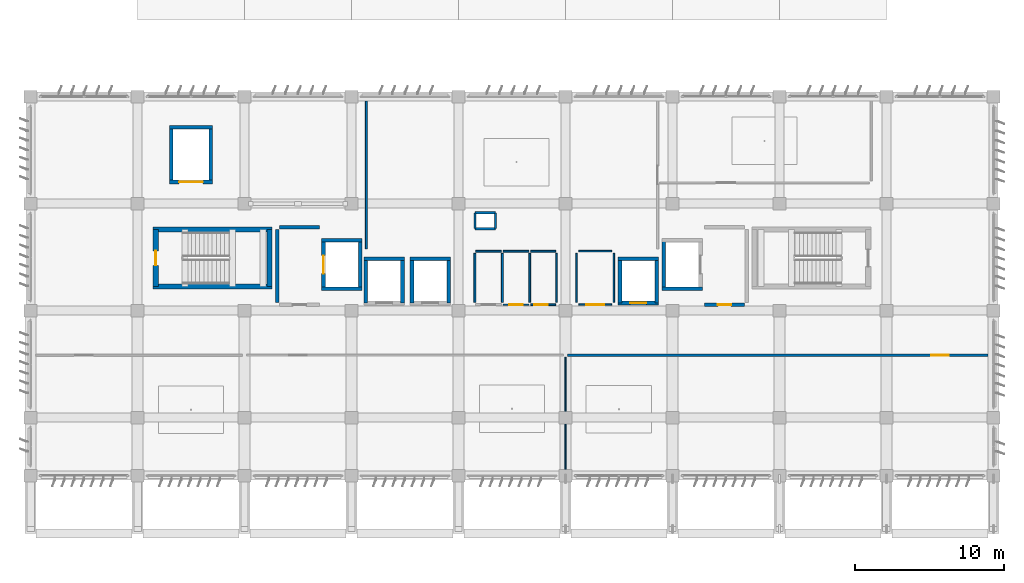
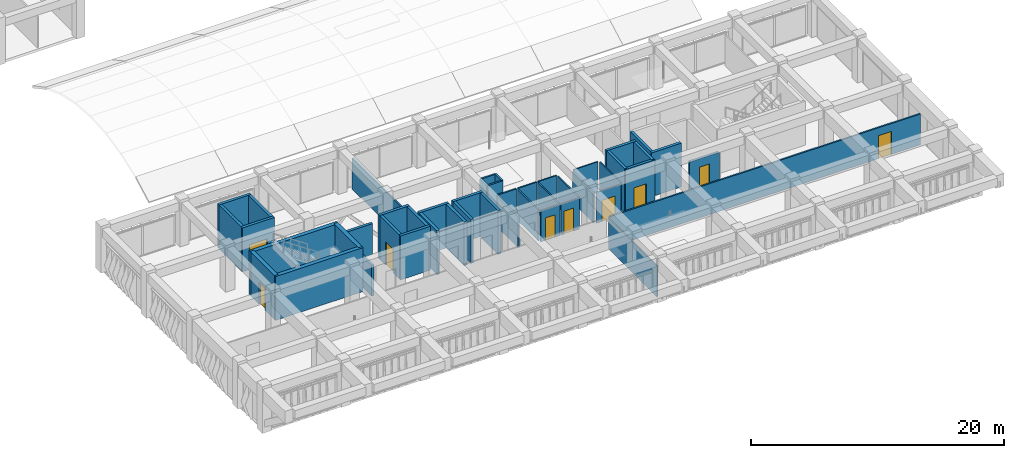
# One storey, part 36 of 56: 47 walls, 9 doors, 9 openings.
"""IFC4 building model written with IfcOpenShell, lengths in metres."""

from ifc_helpers import new_model, si_unit, direction, frame, frame_2d, origin, place, context, subcontext, project, spatial, rectangle, extrude, material, layer, layer_set, type_object, element, fill, save


model = new_model("IFC4")

# Units and contexts
model_context = context("Model", 3, precision=1e-05, world=origin(), true_north=direction((0.0, 1.0)))
body_context = subcontext(model_context, "Body", "Model", "MODEL_VIEW")
ifc_project = project(units=[si_unit("LENGTHUNIT", "METRE"), si_unit("AREAUNIT", "SQUARE_METRE"), si_unit("VOLUMEUNIT", "CUBIC_METRE"), si_unit("PLANEANGLEUNIT", "RADIAN"), si_unit("MASSUNIT", "GRAM", prefix="KILO")], contexts=[model_context])

# Site, building, storey
site_placement = place(None, origin())
site = spatial("IfcSite", under=ifc_project, at=site_placement, CompositionType="ELEMENT")
building_placement = place(site_placement, origin())
building = spatial("IfcBuilding", under=site, at=building_placement, Name="Kazehaya Institute of Natural Sciences", CompositionType="ELEMENT")
storey_placement = place(building_placement, frame((0.0, 0.0, 24.300048828125)))
storey = spatial("IfcBuildingStorey", under=building, at=storey_placement, Name="L05", CompositionType="ELEMENT", Elevation=24.300048828125)

# Walls
ifc_material_1 = material(Name="Concrete Fc42", Category="concrete")
ifc_layer_1 = layer(ifc_material_1, 0.35009765625, Name="Concrete Fc42", Category="concrete")
ifc_layer_set_1 = layer_set([ifc_layer_1], Name="Concrete Fc42")
wall_type_1 = type_object("IfcWallType", Name="WL-CORE-350", PredefinedType="SHEAR", material=ifc_layer_set_1)
for number, where, z_axis, x_axis, name in (
    (1, (70.85498046875, 22.820068359375, 0.0), (0.0, 0.0, 1.0), (-1.0, 0.0, 0.0), "L05 ST-1 core wall S"),
    (2, (62.844970703125, 26.659912109375, 0.0), (0.0, 0.0, 1.0), (1.0, 0.0, 0.0), "L05 ST-1 core wall N"),
):
    element("IfcWall", number, at=place(storey_placement, frame(where, z_axis=z_axis, x_axis=x_axis)), inside=storey, type_object=wall_type_1, Name=name, PredefinedType="SHEAR", context=body_context, shape_type="SweptSolid", body=[
        extrude(rectangle(XDim=8.010009765625, YDim=0.35009765625, at=frame_2d((4.0048828125, 0.0))), origin(), (0.0, 0.0, 1.0), 4.22998046875),
    ])

# Wall, opening, door
wall_1_placement = place(storey_placement, frame((63.02001953125, 22.820068359375, 0.0), z_axis=(0.0, 0.0, 1.0), x_axis=(0.0, 1.0, 0.0)))
wall_1 = element("IfcWall", 3, at=wall_1_placement, inside=storey, type_object=wall_type_1, Name="L05 ST-1 core wall W", PredefinedType="SHEAR", context=body_context, shape_type="SweptSolid", body=[
    extrude(rectangle(XDim=3.83984375, YDim=0.35009765625, at=frame_2d((1.919921875, 0.0))), origin(), (0.0, 0.0, 1.0), 4.22998046875),
])
opening_1_placement = place(wall_1_placement, frame((1.429931640625, 0.0, 0.0)))
opening_1 = element("IfcOpeningElement", 4, at=opening_1_placement, cuts=wall_1, Name="Opening D-ST-007", PredefinedType="OPENING", context=body_context, shape_type="SweptSolid", body=[
    extrude(rectangle(XDim=0.97998046875, YDim=2.1201171875, at=frame_2d((0.489990234375, 1.06005859375))), frame((0.0, 0.18505859375, 0.0), z_axis=(0.0, -1.0, 0.0), x_axis=(1.0, 0.0, 0.0)), (0.0, 0.0, 1.0), 0.3701171875),
])
ifc_material_2 = material(Name="Fire-rated steel acoustic door", Category="steel")
door_type_1 = type_object("IfcDoorType", Name="DT-FD-08", OperationType="NOTDEFINED", PredefinedType="DOOR", material=ifc_material_2)
door_1_placement = place(opening_1_placement, origin())
door_1 = element("IfcDoor", 5, at=door_1_placement, inside=storey, type_object=door_type_1, Name="L05 ST-1 stair enclosure door D-ST-007", OperationType="SINGLE_SWING_LEFT", OverallHeight=2.1201171875, OverallWidth=0.97998046875, PredefinedType="DOOR", context=body_context, shape_type="SweptSolid", body=[
    extrude(rectangle(XDim=0.97998046875, YDim=2.1201171875, at=frame_2d((0.489990234375, 1.06005859375))), frame((0.0, 0.02490234375, 0.0), z_axis=(0.0, -1.0, 0.0), x_axis=(1.0, 0.0, 0.0)), (0.0, 0.0, 1.0), 0.050048828125),
])
fill(opening_1, door_1)

# Walls
wall_2_placement = place(storey_placement, frame((70.679931640625, 26.659912109375, 0.0), z_axis=(0.0, 0.0, 1.0), x_axis=(0.0, -1.0, 0.0)))
element("IfcWall", 6, at=wall_2_placement, inside=storey, type_object=wall_type_1, Name="L05 ST-1 core wall E", PredefinedType="SHEAR", context=body_context, shape_type="SweptSolid", body=[
    extrude(rectangle(XDim=3.83984375, YDim=0.35009765625, at=frame_2d((1.919921875, 0.0))), origin(), (0.0, 0.0, 1.0), 4.22998046875),
])
ifc_material_3 = material(Name="Concrete Fc36", Category="concrete")
ifc_layer_2 = layer(ifc_material_3, 0.22998046875, Name="Concrete Fc36", Category="concrete")
ifc_layer_set_2 = layer_set([ifc_layer_2], Name="Concrete Fc36")
wall_type_2 = type_object("IfcWallType", Name="WL-FFL-230", PredefinedType="PARTITIONING", material=ifc_layer_set_2)
wall_3_placement = place(storey_placement, frame((71.35009765625, 26.800048828125, 0.0), z_axis=(0.0, 0.0, 1.0), x_axis=(1.0, 0.0, 0.0)))
element("IfcWall", 7, at=wall_3_placement, inside=storey, type_object=wall_type_2, Name="L05 West Firefighting Lift Lobby partition IW-L05-0255", PredefinedType="PARTITIONING", context=body_context, shape_type="SweptSolid", body=[
    extrude(rectangle(XDim=2.699951171875, YDim=0.22998046875, at=frame_2d((1.35009765625, 0.0))), origin(), (0.0, 0.0, 1.0), 2.97998046875),
])
wall_4_placement = place(storey_placement, frame((71.199951171875, 21.75, 0.0), z_axis=(0.0, 0.0, 1.0), x_axis=(0.0, 1.0, 0.0)))
element("IfcWall", 8, at=wall_4_placement, inside=storey, type_object=wall_type_2, Name="L05 West Firefighting Lift Lobby partition IW-L05-0256", PredefinedType="PARTITIONING", context=body_context, shape_type="SweptSolid", body=[
    extrude(rectangle(XDim=4.89990234375, YDim=0.22998046875, at=frame_2d((2.449951171875, 0.0))), origin(), (0.0, 0.0, 1.0), 2.97998046875),
])

# Wall, opening, door
wall_5_placement = place(storey_placement, frame((102.64990234375, 21.60009765625, 0.0), z_axis=(0.0, 0.0, 1.0), x_axis=(-1.0, 0.0, 0.0)))
wall_5 = element("IfcWall", 9, at=wall_5_placement, inside=storey, type_object=wall_type_2, Name="L05 East Firefighting Lift Lobby partition IW-L05-0257", PredefinedType="PARTITIONING", context=body_context, shape_type="SweptSolid", body=[
    extrude(rectangle(XDim=2.699951171875, YDim=0.22998046875, at=frame_2d((1.35009765625, 0.0))), origin(), (0.0, 0.0, 1.0), 2.97998046875),
])
opening_2_placement = place(wall_5_placement, frame((0.89990234375, 0.0, 0.0)))
opening_2 = element("IfcOpeningElement", 10, at=opening_2_placement, cuts=wall_5, Name="Opening D-L05-0155", PredefinedType="OPENING", context=body_context, shape_type="SweptSolid", body=[
    extrude(rectangle(XDim=0.89990234375, YDim=2.179931640625, at=frame_2d((0.449951171875, 1.08984375))), frame((0.0, 0.125, 0.0), z_axis=(0.0, -1.0, 0.0), x_axis=(1.0, 0.0, 0.0)), (0.0, 0.0, 1.0), 0.25),
])
door_type_2 = type_object("IfcDoorType", Name="DT-FD-03", OperationType="NOTDEFINED", PredefinedType="DOOR", material=ifc_material_2)
door_2_placement = place(opening_2_placement, origin())
door_2 = element("IfcDoor", 11, at=door_2_placement, inside=storey, type_object=door_type_2, Name="L05 East Firefighting Lift Lobby door D-L05-0155", OperationType="SINGLE_SWING_LEFT", OverallHeight=2.179931640625, OverallWidth=0.89990234375, PredefinedType="DOOR", context=body_context, shape_type="SweptSolid", body=[
    extrude(rectangle(XDim=0.89990234375, YDim=2.179931640625, at=frame_2d((0.449951171875, 1.08984375))), frame((0.0, 0.02490234375, 0.0), z_axis=(0.0, -1.0, 0.0), x_axis=(1.0, 0.0, 0.0)), (0.0, 0.0, 1.0), 0.050048828125),
])
fill(opening_2, door_2)

ifc_material_4 = material(Name="Lightweight chase partition")
ifc_layer_3 = layer(ifc_material_4, 0.10009765625, Name="Lightweight chase partition")
ifc_layer_set_3 = layer_set([ifc_layer_3], Name="Lightweight chase partition")
wall_type_3 = type_object("IfcWallType", Name="WL-PART-100", PredefinedType="PARTITIONING", material=ifc_layer_set_3)
wall_6_placement = place(storey_placement, frame((93.699951171875, 21.60009765625, 0.0), z_axis=(0.0, 0.0, 1.0), x_axis=(-1.0, 0.0, 0.0)))
wall_6 = element("IfcWall", 12, at=wall_6_placement, inside=storey, type_object=wall_type_3, Name="L05 Ostomate WC partition IW-L05-0270", PredefinedType="PARTITIONING", context=body_context, shape_type="SweptSolid", body=[
    extrude(rectangle(XDim=2.199951171875, YDim=0.10009765625, at=frame_2d((1.10009765625, 0.0))), origin(), (0.0, 0.0, 1.0), 2.97998046875),
])
opening_3_placement = place(wall_6_placement, frame((0.5048828125, 0.0, 0.0)))
opening_3 = element("IfcOpeningElement", 13, at=opening_3_placement, cuts=wall_6, Name="Opening D-L05-0159", PredefinedType="OPENING", context=body_context, shape_type="SweptSolid", body=[
    extrude(rectangle(XDim=1.18994140625, YDim=2.050048828125, at=frame_2d((0.594970703125, 1.02490234375))), frame((0.0, 0.06005859375, 0.0), z_axis=(0.0, -1.0, 0.0), x_axis=(1.0, 0.0, 0.0)), (0.0, 0.0, 1.0), 0.1201171875),
])
ifc_material_5 = material(Name="Flush timber and aluminium laboratory door", Category="wood")
door_type_3 = type_object("IfcDoorType", Name="DT-INT-33", OperationType="NOTDEFINED", PredefinedType="DOOR", material=ifc_material_5)
door_3_placement = place(opening_3_placement, origin())
door_3 = element("IfcDoor", 14, at=door_3_placement, inside=storey, type_object=door_type_3, Name="L05 Ostomate WC door D-L05-0159", OperationType="SINGLE_SWING_LEFT", OverallHeight=2.050048828125, OverallWidth=1.18994140625, PredefinedType="DOOR", context=body_context, shape_type="SweptSolid", body=[
    extrude(rectangle(XDim=1.18994140625, YDim=2.050048828125, at=frame_2d((0.594970703125, 1.02490234375))), frame((0.0, 0.02490234375, 0.0), z_axis=(0.0, -1.0, 0.0), x_axis=(1.0, 0.0, 0.0)), (0.0, 0.0, 1.0), 0.050048828125),
])
fill(opening_3, door_3)

# Walls
wall_7_placement = place(storey_placement, frame((91.5, 25.199951171875, 0.0), z_axis=(0.0, 0.0, 1.0), x_axis=(1.0, 0.0, 0.0)))
element("IfcWall", 15, at=wall_7_placement, inside=storey, type_object=wall_type_3, Name="L05 Ostomate WC partition IW-L05-0271", PredefinedType="PARTITIONING", context=body_context, shape_type="SweptSolid", body=[
    extrude(rectangle(XDim=2.199951171875, YDim=0.10009765625, at=frame_2d((1.10009765625, 0.0))), origin(), (0.0, 0.0, 1.0), 2.97998046875),
])
for number, where, z_axis, x_axis, name in (
    (16, (91.35009765625, 21.75, 0.0), (0.0, 0.0, 1.0), (0.0, 1.0, 0.0), "L05 Ostomate WC partition IW-L05-0272"),
    (17, (93.85009765625, 25.050048828125, 0.0), (0.0, 0.0, 1.0), (0.0, -1.0, 0.0), "L05 Ostomate WC partition IW-L05-0273"),
):
    element("IfcWall", number, at=place(storey_placement, frame(where, z_axis=z_axis, x_axis=x_axis)), inside=storey, type_object=wall_type_3, Name=name, PredefinedType="PARTITIONING", context=body_context, shape_type="SweptSolid", body=[
        extrude(rectangle(XDim=3.300048828125, YDim=0.10009765625, at=frame_2d((1.64990234375, 0.0))), origin(), (0.0, 0.0, 1.0), 2.97998046875),
    ])
wall_8_placement = place(storey_placement, frame((90.60009765625, 18.050048828125, 0.0), z_axis=(0.0, 0.0, 1.0), x_axis=(0.0, -1.0, 0.0)))
element("IfcWall", 18, at=wall_8_placement, inside=storey, type_object=wall_type_3, Name="L05 Microbial Ecology Laboratory partition IW-L05-0276", PredefinedType="PARTITIONING", context=body_context, shape_type="SweptSolid", body=[
    extrude(rectangle(XDim=7.650146484375, YDim=0.10009765625, at=frame_2d((3.8251953125, 0.0))), origin(), (0.0, 0.0, 1.0), 2.97998046875),
])

# Wall, opening, door
ifc_material_6 = material(Name="Glazed office demountable partition")
ifc_layer_4 = layer(ifc_material_6, 0.110107421875, Name="Glazed office demountable partition")
ifc_layer_set_4 = layer_set([ifc_layer_4], Name="Glazed office demountable partition")
wall_type_4 = type_object("IfcWallType", Name="WL-PART-110", PredefinedType="PARTITIONING", material=ifc_layer_set_4)
wall_9_placement = place(storey_placement, frame((89.93994140625, 21.60009765625, 0.0), z_axis=(0.0, 0.0, 1.0), x_axis=(-1.0, 0.0, 0.0)))
wall_9 = element("IfcWall", 19, at=wall_9_placement, inside=storey, type_object=wall_type_4, Name="L05 Accessible WC partition IW-L05-0267", PredefinedType="PARTITIONING", context=body_context, shape_type="SweptSolid", body=[
    extrude(rectangle(XDim=1.679931640625, YDim=0.110107421875, at=frame_2d((0.83984375, 0.0))), origin(), (0.0, 0.0, 1.0), 2.97998046875),
])
opening_4_placement = place(wall_9_placement, frame((0.5400390625, 0.0, 0.0)))
opening_4 = element("IfcOpeningElement", 20, at=opening_4_placement, cuts=wall_9, Name="Opening D-L05-0158", PredefinedType="OPENING", context=body_context, shape_type="SweptSolid", body=[
    extrude(rectangle(XDim=0.89990234375, YDim=2.219970703125, at=frame_2d((0.449951171875, 1.10986328125))), frame((0.0, 0.06494140625, 0.0), z_axis=(0.0, -1.0, 0.0), x_axis=(1.0, 0.0, 0.0)), (0.0, 0.0, 1.0), 0.130126953125),
])
door_type_4 = type_object("IfcDoorType", Name="DT-INT-04", OperationType="NOTDEFINED", PredefinedType="DOOR", material=ifc_material_5)
door_4_placement = place(opening_4_placement, origin())
door_4 = element("IfcDoor", 21, at=door_4_placement, inside=storey, type_object=door_type_4, Name="L05 Accessible WC door D-L05-0158", OperationType="SINGLE_SWING_RIGHT", OverallHeight=2.219970703125, OverallWidth=0.89990234375, PredefinedType="DOOR", context=body_context, shape_type="SweptSolid", body=[
    extrude(rectangle(XDim=0.89990234375, YDim=2.219970703125, at=frame_2d((0.449951171875, 1.10986328125))), frame((0.0, 0.02490234375, 0.0), z_axis=(0.0, -1.0, 0.0), x_axis=(1.0, 0.0, 0.0)), (0.0, 0.0, 1.0), 0.050048828125),
])
fill(opening_4, door_4)

# Walls
wall_10_placement = place(storey_placement, frame((88.260009765625, 25.199951171875, 0.0), z_axis=(0.0, 0.0, 1.0), x_axis=(1.0, 0.0, 0.0)))
element("IfcWall", 22, at=wall_10_placement, inside=storey, type_object=wall_type_4, Name="L05 Accessible WC partition IW-L05-0268", PredefinedType="PARTITIONING", context=body_context, shape_type="SweptSolid", body=[
    extrude(rectangle(XDim=1.679931640625, YDim=0.110107421875, at=frame_2d((0.83984375, 0.0))), origin(), (0.0, 0.0, 1.0), 2.97998046875),
])
wall_11_placement = place(storey_placement, frame((90.0, 25.050048828125, 0.0), z_axis=(0.0, 0.0, 1.0), x_axis=(0.0, -1.0, 0.0)))
element("IfcWall", 23, at=wall_11_placement, inside=storey, type_object=wall_type_4, Name="L05 Accessible WC partition IW-L05-0269", PredefinedType="PARTITIONING", context=body_context, shape_type="SweptSolid", body=[
    extrude(rectangle(XDim=3.300048828125, YDim=0.110107421875, at=frame_2d((1.64990234375, 0.0))), origin(), (0.0, 0.0, 1.0), 2.97998046875),
])

# Wall, opening, door
ifc_material_7 = material(Name="Gypsum write-up office partition", Category="gypsum")
ifc_layer_5 = layer(ifc_material_7, 0.1201171875, Name="Gypsum write-up office partition", Category="gypsum")
ifc_layer_set_5 = layer_set([ifc_layer_5], Name="Gypsum write-up office partition")
wall_type_5 = type_object("IfcWallType", Name="WL-PART-120", PredefinedType="PARTITIONING", material=ifc_layer_set_5)
wall_12_placement = place(storey_placement, frame((88.139892578125, 21.60009765625, 0.0), z_axis=(0.0, 0.0, 1.0), x_axis=(-1.0, 0.0, 0.0)))
wall_12 = element("IfcWall", 24, at=wall_12_placement, inside=storey, type_object=wall_type_5, Name="L05 Female WC partition IW-L05-0264", PredefinedType="PARTITIONING", context=body_context, shape_type="SweptSolid", body=[
    extrude(rectangle(XDim=1.72998046875, YDim=0.1201171875, at=frame_2d((0.864990234375, 0.0))), origin(), (0.0, 0.0, 1.0), 2.97998046875),
])
opening_5_placement = place(wall_12_placement, frame((0.419921875, 0.0, 0.0)))
opening_5 = element("IfcOpeningElement", 25, at=opening_5_placement, cuts=wall_12, Name="Opening D-L05-0157", PredefinedType="OPENING", context=body_context, shape_type="SweptSolid", body=[
    extrude(rectangle(XDim=0.89990234375, YDim=2.159912109375, at=frame_2d((0.449951171875, 1.080078125))), frame((0.0, 0.070068359375, 0.0), z_axis=(0.0, -1.0, 0.0), x_axis=(1.0, 0.0, 0.0)), (0.0, 0.0, 1.0), 0.14013671875),
])
door_type_5 = type_object("IfcDoorType", Name="DT-INT-03", OperationType="NOTDEFINED", PredefinedType="DOOR", material=ifc_material_5)
door_5_placement = place(opening_5_placement, origin())
door_5 = element("IfcDoor", 26, at=door_5_placement, inside=storey, type_object=door_type_5, Name="L05 Female WC door D-L05-0157", OperationType="SINGLE_SWING_LEFT", OverallHeight=2.159912109375, OverallWidth=0.89990234375, PredefinedType="DOOR", context=body_context, shape_type="SweptSolid", body=[
    extrude(rectangle(XDim=0.89990234375, YDim=2.159912109375, at=frame_2d((0.449951171875, 1.080078125))), frame((0.0, 0.02490234375, 0.0), z_axis=(0.0, -1.0, 0.0), x_axis=(1.0, 0.0, 0.0)), (0.0, 0.0, 1.0), 0.050048828125),
])
fill(opening_5, door_5)

# Walls
wall_13_placement = place(storey_placement, frame((86.409912109375, 25.199951171875, 0.0), z_axis=(0.0, 0.0, 1.0), x_axis=(1.0, 0.0, 0.0)))
element("IfcWall", 27, at=wall_13_placement, inside=storey, type_object=wall_type_5, Name="L05 Female WC partition IW-L05-0265", PredefinedType="PARTITIONING", context=body_context, shape_type="SweptSolid", body=[
    extrude(rectangle(XDim=1.72998046875, YDim=0.1201171875, at=frame_2d((0.864990234375, 0.0))), origin(), (0.0, 0.0, 1.0), 2.97998046875),
])
wall_14_placement = place(storey_placement, frame((88.199951171875, 25.050048828125, 0.0), z_axis=(0.0, 0.0, 1.0), x_axis=(0.0, -1.0, 0.0)))
element("IfcWall", 28, at=wall_14_placement, inside=storey, type_object=wall_type_5, Name="L05 Female WC partition IW-L05-0266", PredefinedType="PARTITIONING", context=body_context, shape_type="SweptSolid", body=[
    extrude(rectangle(XDim=3.300048828125, YDim=0.1201171875, at=frame_2d((1.64990234375, 0.0))), origin(), (0.0, 0.0, 1.0), 2.97998046875),
])
ifc_material_8 = material(Name="Moisture-resistant WC partition")
ifc_layer_6 = layer(ifc_material_8, 0.1298828125, Name="Moisture-resistant WC partition")
ifc_layer_set_6 = layer_set([ifc_layer_6], Name="Moisture-resistant WC partition")
wall_type_6 = type_object("IfcWallType", Name="WL-PART-130", PredefinedType="PARTITIONING", material=ifc_layer_set_6)
wall_15_placement = place(storey_placement, frame((84.56005859375, 25.199951171875, 0.0), z_axis=(0.0, 0.0, 1.0), x_axis=(1.0, 0.0, 0.0)))
element("IfcWall", 29, at=wall_15_placement, inside=storey, type_object=wall_type_6, Name="L05 Male WC partition IW-L05-0261", PredefinedType="PARTITIONING", context=body_context, shape_type="SweptSolid", body=[
    extrude(rectangle(XDim=1.72998046875, YDim=0.1298828125, at=frame_2d((0.864990234375, 0.0))), origin(), (0.0, 0.0, 1.0), 2.97998046875),
])
for number, where, z_axis, x_axis, name in (
    (30, (84.5, 21.75, 0.0), (0.0, 0.0, 1.0), (0.0, 1.0, 0.0), "L05 Male WC partition IW-L05-0262"),
    (31, (86.35009765625, 25.050048828125, 0.0), (0.0, 0.0, 1.0), (0.0, -1.0, 0.0), "L05 Male WC partition IW-L05-0263"),
):
    element("IfcWall", number, at=place(storey_placement, frame(where, z_axis=z_axis, x_axis=x_axis)), inside=storey, type_object=wall_type_6, Name=name, PredefinedType="PARTITIONING", context=body_context, shape_type="SweptSolid", body=[
        extrude(rectangle(XDim=3.300048828125, YDim=0.1298828125, at=frame_2d((1.64990234375, 0.0))), origin(), (0.0, 0.0, 1.0), 2.97998046875),
    ])
wall_16_placement = place(storey_placement, frame((77.199951171875, 25.35009765625, 0.0), z_axis=(0.0, 0.0, 1.0), x_axis=(0.0, 1.0, 0.0)))
element("IfcWall", 32, at=wall_16_placement, inside=storey, type_object=wall_type_6, Name="L05 Atmospheric Chemistry Laboratory partition IW-L05-0278", PredefinedType="PARTITIONING", context=body_context, shape_type="SweptSolid", body=[
    extrude(rectangle(XDim=9.949951171875, YDim=0.1298828125, at=frame_2d((4.97509765625, 0.0))), origin(), (0.0, 0.0, 1.0), 2.97998046875),
])

# Wall, opening, door
ifc_material_9 = material(Name="Gypsum partition", Category="gypsum")
ifc_layer_7 = layer(ifc_material_9, 0.139892578125, Name="Gypsum partition", Category="gypsum")
ifc_layer_set_7 = layer_set([ifc_layer_7], Name="Gypsum partition")
wall_type_7 = type_object("IfcWallType", Name="WL-PART-140", PredefinedType="PARTITIONING", material=ifc_layer_set_7)
wall_17_placement = place(storey_placement, frame((90.75, 18.199951171875, 0.0), z_axis=(0.0, 0.0, 1.0), x_axis=(1.0, 0.0, 0.0)))
wall_17 = element("IfcWall", 33, at=wall_17_placement, inside=storey, type_object=wall_type_7, Name="L05 Senior Fellow Write-up Office partition IW-L05-0277", PredefinedType="PARTITIONING", context=body_context, shape_type="SweptSolid", body=[
    extrude(rectangle(XDim=28.300048828125, YDim=0.139892578125, at=frame_2d((14.14990234375, 0.0))), origin(), (0.0, 0.0, 1.0), 2.97998046875),
])
opening_6_placement = place(wall_17_placement, frame((24.455078125, 0.0, 0.0)))
opening_6 = element("IfcOpeningElement", 34, at=opening_6_placement, cuts=wall_17, Name="Opening D-L05-0162", PredefinedType="OPENING", context=body_context, shape_type="SweptSolid", body=[
    extrude(rectangle(XDim=1.18994140625, YDim=2.219970703125, at=frame_2d((0.594970703125, 1.10986328125))), frame((0.0, 0.079833984375, 0.0), z_axis=(0.0, -1.0, 0.0), x_axis=(1.0, 0.0, 0.0)), (0.0, 0.0, 1.0), 0.159912109375),
])
door_type_6 = type_object("IfcDoorType", Name="DT-INT-36", OperationType="NOTDEFINED", PredefinedType="DOOR", material=ifc_material_5)
door_6_placement = place(opening_6_placement, origin())
door_6 = element("IfcDoor", 35, at=door_6_placement, inside=storey, type_object=door_type_6, Name="L05 Senior Fellow Write-up Office door D-L05-0162", OperationType="SINGLE_SWING_RIGHT", OverallHeight=2.219970703125, OverallWidth=1.18994140625, PredefinedType="DOOR", context=body_context, shape_type="SweptSolid", body=[
    extrude(rectangle(XDim=1.18994140625, YDim=2.219970703125, at=frame_2d((0.594970703125, 1.10986328125))), frame((0.0, 0.02490234375, 0.0), z_axis=(0.0, -1.0, 0.0), x_axis=(1.0, 0.0, 0.0)), (0.0, 0.0, 1.0), 0.050048828125),
])
fill(opening_6, door_6)

# Walls
ifc_layer_8 = layer(ifc_material_3, 0.14990234375, Name="Concrete Fc36", Category="concrete")
ifc_layer_set_8 = layer_set([ifc_layer_8], Name="Concrete Fc36")
wall_type_8 = type_object("IfcWallType", Name="WL-RISER-150", PredefinedType="PARTITIONING", material=ifc_layer_set_8)
for number, where, z_axis, x_axis, name in (
    (36, (85.885009765625, 26.715087890625, 0.0), (0.0, 0.0, 1.0), (-1.0, 0.0, 0.0), "L05 fume exhaust riser shaft wall 39"),
    (37, (84.514892578125, 27.784912109375, 0.0), (0.0, 0.0, 1.0), (1.0, 0.0, 0.0), "L05 fume exhaust riser shaft wall 39"),
):
    element("IfcWall", number, at=place(storey_placement, frame(where, z_axis=z_axis, x_axis=x_axis)), inside=storey, type_object=wall_type_8, Name=name, PredefinedType="PARTITIONING", context=body_context, shape_type="SweptSolid", body=[
        extrude(rectangle(XDim=1.3701171875, YDim=0.14990234375, at=frame_2d((0.68505859375, 0.0))), origin(), (0.0, 0.0, 1.0), 2.97998046875),
    ])
for number, where, z_axis, x_axis, name in (
    (38, (84.514892578125, 26.715087890625, 0.0), (0.0, 0.0, 1.0), (0.0, 1.0, 0.0), "L05 fume exhaust riser shaft wall 39"),
    (39, (85.885009765625, 27.784912109375, 0.0), (0.0, 0.0, 1.0), (0.0, -1.0, 0.0), "L05 fume exhaust riser shaft wall 39"),
):
    element("IfcWall", number, at=place(storey_placement, frame(where, z_axis=z_axis, x_axis=x_axis)), inside=storey, type_object=wall_type_8, Name=name, PredefinedType="PARTITIONING", context=body_context, shape_type="SweptSolid", body=[
        extrude(rectangle(XDim=1.06982421875, YDim=0.14990234375, at=frame_2d((0.534912109375, 0.0))), origin(), (0.0, 0.0, 1.0), 2.97998046875),
    ])
ifc_layer_9 = layer(ifc_material_1, 0.25, Name="Concrete Fc42", Category="concrete")
ifc_layer_set_9 = layer_set([ifc_layer_9], Name="Concrete Fc42")
wall_type_9 = type_object("IfcWallType", Name="WL-SHAFT-250", PredefinedType="SHEAR", material=ifc_layer_set_9)
for number, where, z_axis, x_axis, name in (
    (40, (76.909912109375, 22.6650390625, 0.0), (0.0, 0.0, 1.0), (-1.0, 0.0, 0.0), "L05 EL07 lift shaft wall south"),
    (41, (74.18994140625, 25.93505859375, 0.0), (0.0, 0.0, 1.0), (1.0, 0.0, 0.0), "L05 EL07 lift shaft wall north"),
):
    element("IfcWall", number, at=place(storey_placement, frame(where, z_axis=z_axis, x_axis=x_axis)), inside=storey, type_object=wall_type_9, Name=name, PredefinedType="SHEAR", context=body_context, shape_type="SweptSolid", body=[
        extrude(rectangle(XDim=2.719970703125, YDim=0.25, at=frame_2d((1.35986328125, 0.0))), origin(), (0.0, 0.0, 1.0), 4.22998046875),
    ])

# Wall, opening, door
wall_18_placement = place(storey_placement, frame((74.31494140625, 22.6650390625, 0.0), z_axis=(0.0, 0.0, 1.0), x_axis=(0.0, 1.0, 0.0)))
wall_18 = element("IfcWall", 42, at=wall_18_placement, inside=storey, type_object=wall_type_9, Name="L05 EL07 lift shaft wall west", PredefinedType="SHEAR", context=body_context, shape_type="SweptSolid", body=[
    extrude(rectangle(XDim=3.27001953125, YDim=0.25, at=frame_2d((1.635009765625, 0.0))), origin(), (0.0, 0.0, 1.0), 4.22998046875),
])
opening_7_placement = place(wall_18_placement, frame((1.034912109375, 0.0, 0.0)))
opening_7 = element("IfcOpeningElement", 43, at=opening_7_placement, cuts=wall_18, Name="Opening LD-07", PredefinedType="OPENING", context=body_context, shape_type="SweptSolid", body=[
    extrude(rectangle(XDim=1.199951171875, YDim=2.25, at=frame_2d((0.60009765625, 1.125))), frame((0.0, 0.135009765625, 0.0), z_axis=(0.0, -1.0, 0.0), x_axis=(1.0, 0.0, 0.0)), (0.0, 0.0, 1.0), 0.27001953125),
])
ifc_material_10 = material(Name="Stainless-steel emergency lift landing door", Category="steel")
door_type_7 = type_object("IfcDoorType", Name="DT-LD-1200x2250", OperationType="SLIDING_TO_LEFT", PredefinedType="DOOR", material=ifc_material_10)
door_7_placement = place(opening_7_placement, origin())
door_7 = element("IfcDoor", 44, at=door_7_placement, inside=storey, type_object=door_type_7, Name="L05 EL07 sliding landing door LD-07", OperationType="SLIDING_TO_LEFT", OverallHeight=2.25, OverallWidth=1.199951171875, PredefinedType="DOOR", context=body_context, shape_type="SweptSolid", body=[
    extrude(rectangle(XDim=1.199951171875, YDim=2.25, at=frame_2d((0.60009765625, 1.125))), frame((0.0, 0.02490234375, 0.0), z_axis=(0.0, -1.0, 0.0), x_axis=(1.0, 0.0, 0.0)), (0.0, 0.0, 1.0), 0.050048828125),
])
fill(opening_7, door_7)

# Walls
wall_19_placement = place(storey_placement, frame((76.784912109375, 25.93505859375, 0.0), z_axis=(0.0, 0.0, 1.0), x_axis=(0.0, -1.0, 0.0)))
element("IfcWall", 45, at=wall_19_placement, inside=storey, type_object=wall_type_9, Name="L05 EL07 lift shaft wall east", PredefinedType="SHEAR", context=body_context, shape_type="SweptSolid", body=[
    extrude(rectangle(XDim=3.27001953125, YDim=0.25, at=frame_2d((1.635009765625, 0.0))), origin(), (0.0, 0.0, 1.0), 4.22998046875),
])
wall_20_placement = place(storey_placement, frame((99.81005859375, 22.6650390625, 0.0), z_axis=(0.0, 0.0, 1.0), x_axis=(-1.0, 0.0, 0.0)))
element("IfcWall", 46, at=wall_20_placement, inside=storey, type_object=wall_type_9, Name="L05 EL08 lift shaft wall south", PredefinedType="SHEAR", context=body_context, shape_type="SweptSolid", body=[
    extrude(rectangle(XDim=2.719970703125, YDim=0.25, at=frame_2d((1.35986328125, 0.0))), origin(), (0.0, 0.0, 1.0), 4.22998046875),
])
wall_21_placement = place(storey_placement, frame((97.215087890625, 22.6650390625, 0.0), z_axis=(0.0, 0.0, 1.0), x_axis=(0.0, 1.0, 0.0)))
element("IfcWall", 47, at=wall_21_placement, inside=storey, type_object=wall_type_9, Name="L05 EL08 lift shaft wall west", PredefinedType="SHEAR", context=body_context, shape_type="SweptSolid", body=[
    extrude(rectangle(XDim=3.27001953125, YDim=0.25, at=frame_2d((1.635009765625, 0.0))), origin(), (0.0, 0.0, 1.0), 4.22998046875),
])
wall_22_placement = place(storey_placement, frame((77.0400390625, 24.68505859375, 0.0), z_axis=(0.0, 0.0, 1.0), x_axis=(1.0, 0.0, 0.0)))
element("IfcWall", 48, at=wall_22_placement, inside=storey, type_object=wall_type_9, Name="L05 EL01 lift shaft wall north", PredefinedType="SHEAR", context=body_context, shape_type="SweptSolid", body=[
    extrude(rectangle(XDim=2.719970703125, YDim=0.25, at=frame_2d((1.35986328125, 0.0))), origin(), (0.0, 0.0, 1.0), 4.22998046875),
])
for number, where, z_axis, x_axis, name in (
    (49, (77.1650390625, 21.715087890625, 0.0), (0.0, 0.0, 1.0), (0.0, 1.0, 0.0), "L05 EL01 lift shaft wall west"),
    (50, (79.635009765625, 24.68505859375, 0.0), (0.0, 0.0, 1.0), (0.0, -1.0, 0.0), "L05 EL01 lift shaft wall east"),
):
    element("IfcWall", number, at=place(storey_placement, frame(where, z_axis=z_axis, x_axis=x_axis)), inside=storey, type_object=wall_type_9, Name=name, PredefinedType="SHEAR", context=body_context, shape_type="SweptSolid", body=[
        extrude(rectangle(XDim=2.969970703125, YDim=0.25, at=frame_2d((1.48486328125, 0.0))), origin(), (0.0, 0.0, 1.0), 4.22998046875),
    ])
wall_23_placement = place(storey_placement, frame((80.139892578125, 24.68505859375, 0.0), z_axis=(0.0, 0.0, 1.0), x_axis=(1.0, 0.0, 0.0)))
element("IfcWall", 51, at=wall_23_placement, inside=storey, type_object=wall_type_9, Name="L05 EL02 lift shaft wall north", PredefinedType="SHEAR", context=body_context, shape_type="SweptSolid", body=[
    extrude(rectangle(XDim=2.72021484375, YDim=0.25, at=frame_2d((1.360107421875, 0.0))), origin(), (0.0, 0.0, 1.0), 4.22998046875),
])
for number, where, z_axis, x_axis, name in (
    (52, (80.264892578125, 21.715087890625, 0.0), (0.0, 0.0, 1.0), (0.0, 1.0, 0.0), "L05 EL02 lift shaft wall west"),
    (53, (82.735107421875, 24.68505859375, 0.0), (0.0, 0.0, 1.0), (0.0, -1.0, 0.0), "L05 EL02 lift shaft wall east"),
):
    element("IfcWall", number, at=place(storey_placement, frame(where, z_axis=z_axis, x_axis=x_axis)), inside=storey, type_object=wall_type_9, Name=name, PredefinedType="SHEAR", context=body_context, shape_type="SweptSolid", body=[
        extrude(rectangle(XDim=2.969970703125, YDim=0.25, at=frame_2d((1.48486328125, 0.0))), origin(), (0.0, 0.0, 1.0), 4.22998046875),
    ])

# Wall, opening, door
wall_24_placement = place(storey_placement, frame((96.860107421875, 21.715087890625, 0.0), z_axis=(0.0, 0.0, 1.0), x_axis=(-1.0, 0.0, 0.0)))
wall_24 = element("IfcWall", 54, at=wall_24_placement, inside=storey, type_object=wall_type_9, Name="L05 EL03 lift shaft wall south", PredefinedType="SHEAR", context=body_context, shape_type="SweptSolid", body=[
    extrude(rectangle(XDim=2.72021484375, YDim=0.25, at=frame_2d((1.360107421875, 0.0))), origin(), (0.0, 0.0, 1.0), 4.22998046875),
])
opening_8_placement = place(wall_24_placement, frame((0.81005859375, 0.0, 0.0)))
opening_8 = element("IfcOpeningElement", 55, at=opening_8_placement, cuts=wall_24, Name="Opening LD-51", PredefinedType="OPENING", context=body_context, shape_type="SweptSolid", body=[
    extrude(rectangle(XDim=1.10009765625, YDim=2.199951171875, at=frame_2d((0.550048828125, 1.10009765625))), frame((0.0, 0.135009765625, 0.0), z_axis=(0.0, -1.0, 0.0), x_axis=(1.0, 0.0, 0.0)), (0.0, 0.0, 1.0), 0.27001953125),
])
ifc_material_11 = material(Name="Stainless-steel sliding landing door", Category="steel")
door_type_8 = type_object("IfcDoorType", Name="DT-LD-1100x2200", OperationType="SLIDING_TO_LEFT", PredefinedType="DOOR", material=ifc_material_11)
door_8_placement = place(opening_8_placement, origin())
door_8 = element("IfcDoor", 56, at=door_8_placement, inside=storey, type_object=door_type_8, Name="L05 EL03 sliding landing door LD-51", OperationType="SLIDING_TO_LEFT", OverallHeight=2.199951171875, OverallWidth=1.10009765625, PredefinedType="DOOR", context=body_context, shape_type="SweptSolid", body=[
    extrude(rectangle(XDim=1.10009765625, YDim=2.199951171875, at=frame_2d((0.550048828125, 1.10009765625))), frame((0.0, 0.02490234375, 0.0), z_axis=(0.0, -1.0, 0.0), x_axis=(1.0, 0.0, 0.0)), (0.0, 0.0, 1.0), 0.050048828125),
])
fill(opening_8, door_8)

# Walls
wall_25_placement = place(storey_placement, frame((94.139892578125, 24.68505859375, 0.0), z_axis=(0.0, 0.0, 1.0), x_axis=(1.0, 0.0, 0.0)))
element("IfcWall", 57, at=wall_25_placement, inside=storey, type_object=wall_type_9, Name="L05 EL03 lift shaft wall north", PredefinedType="SHEAR", context=body_context, shape_type="SweptSolid", body=[
    extrude(rectangle(XDim=2.72021484375, YDim=0.25, at=frame_2d((1.360107421875, 0.0))), origin(), (0.0, 0.0, 1.0), 4.22998046875),
])
for number, where, z_axis, x_axis, name in (
    (58, (94.264892578125, 21.715087890625, 0.0), (0.0, 0.0, 1.0), (0.0, 1.0, 0.0), "L05 EL03 lift shaft wall west"),
    (59, (96.735107421875, 24.68505859375, 0.0), (0.0, 0.0, 1.0), (0.0, -1.0, 0.0), "L05 EL03 lift shaft wall east"),
):
    element("IfcWall", number, at=place(storey_placement, frame(where, z_axis=z_axis, x_axis=x_axis)), inside=storey, type_object=wall_type_9, Name=name, PredefinedType="SHEAR", context=body_context, shape_type="SweptSolid", body=[
        extrude(rectangle(XDim=2.969970703125, YDim=0.25, at=frame_2d((1.48486328125, 0.0))), origin(), (0.0, 0.0, 1.0), 4.22998046875),
    ])

# Wall, opening, door
wall_26_placement = place(storey_placement, frame((66.860107421875, 29.864990234375, 0.0), z_axis=(0.0, 0.0, 1.0), x_axis=(-1.0, 0.0, 0.0)))
wall_26 = element("IfcWall", 60, at=wall_26_placement, inside=storey, type_object=wall_type_9, Name="L05 EL06 lift shaft wall south", PredefinedType="SHEAR", context=body_context, shape_type="SweptSolid", body=[
    extrude(rectangle(XDim=2.920166015625, YDim=0.25, at=frame_2d((1.4599609375, 0.0))), origin(), (0.0, 0.0, 1.0), 4.22998046875),
])
opening_9_placement = place(wall_26_placement, frame((0.659912109375, 0.0, 0.0)))
opening_9 = element("IfcOpeningElement", 61, at=opening_9_placement, cuts=wall_26, Name="Opening LD-78", PredefinedType="OPENING", context=body_context, shape_type="SweptSolid", body=[
    extrude(rectangle(XDim=1.60009765625, YDim=2.39990234375, at=frame_2d((0.800048828125, 1.199951171875))), frame((0.0, 0.135009765625, 0.0), z_axis=(0.0, -1.0, 0.0), x_axis=(1.0, 0.0, 0.0)), (0.0, 0.0, 1.0), 0.27001953125),
])
ifc_material_12 = material(Name="Heavy-duty goods lift sliding landing door")
door_type_9 = type_object("IfcDoorType", Name="DT-LD-1600x2400", OperationType="SLIDING_TO_LEFT", PredefinedType="DOOR", material=ifc_material_12)
door_9_placement = place(opening_9_placement, origin())
door_9 = element("IfcDoor", 62, at=door_9_placement, inside=storey, type_object=door_type_9, Name="L05 EL06 sliding landing door LD-78", OperationType="SLIDING_TO_LEFT", OverallHeight=2.39990234375, OverallWidth=1.60009765625, PredefinedType="DOOR", context=body_context, shape_type="SweptSolid", body=[
    extrude(rectangle(XDim=1.60009765625, YDim=2.39990234375, at=frame_2d((0.800048828125, 1.199951171875))), frame((0.0, 0.02490234375, 0.0), z_axis=(0.0, -1.0, 0.0), x_axis=(1.0, 0.0, 0.0)), (0.0, 0.0, 1.0), 0.050048828125),
])
fill(opening_9, door_9)

# Walls
wall_27_placement = place(storey_placement, frame((63.93994140625, 33.534912109375, 0.0), z_axis=(0.0, 0.0, 1.0), x_axis=(1.0, 0.0, 0.0)))
element("IfcWall", 63, at=wall_27_placement, inside=storey, type_object=wall_type_9, Name="L05 EL06 lift shaft wall north", PredefinedType="SHEAR", context=body_context, shape_type="SweptSolid", body=[
    extrude(rectangle(XDim=2.920166015625, YDim=0.25, at=frame_2d((1.4599609375, 0.0))), origin(), (0.0, 0.0, 1.0), 4.22998046875),
])
for number, where, z_axis, x_axis, name in (
    (64, (64.06494140625, 29.864990234375, 0.0), (0.0, 0.0, 1.0), (0.0, 1.0, 0.0), "L05 EL06 lift shaft wall west"),
    (65, (66.735107421875, 33.534912109375, 0.0), (0.0, 0.0, 1.0), (0.0, -1.0, 0.0), "L05 EL06 lift shaft wall east"),
):
    element("IfcWall", number, at=place(storey_placement, frame(where, z_axis=z_axis, x_axis=x_axis)), inside=storey, type_object=wall_type_9, Name=name, PredefinedType="SHEAR", context=body_context, shape_type="SweptSolid", body=[
        extrude(rectangle(XDim=3.669921875, YDim=0.25, at=frame_2d((1.8349609375, 0.0))), origin(), (0.0, 0.0, 1.0), 4.22998046875),
    ])

save(model, "model.ifc")
